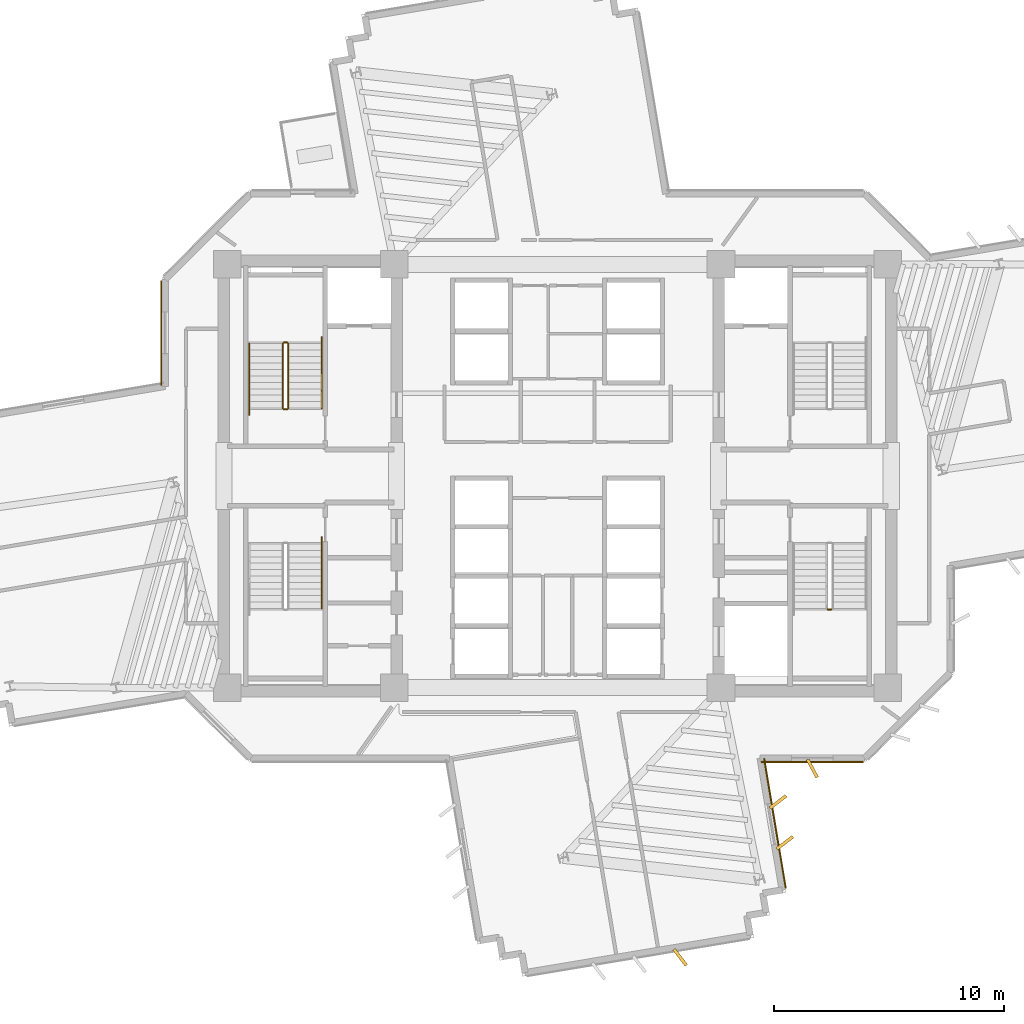
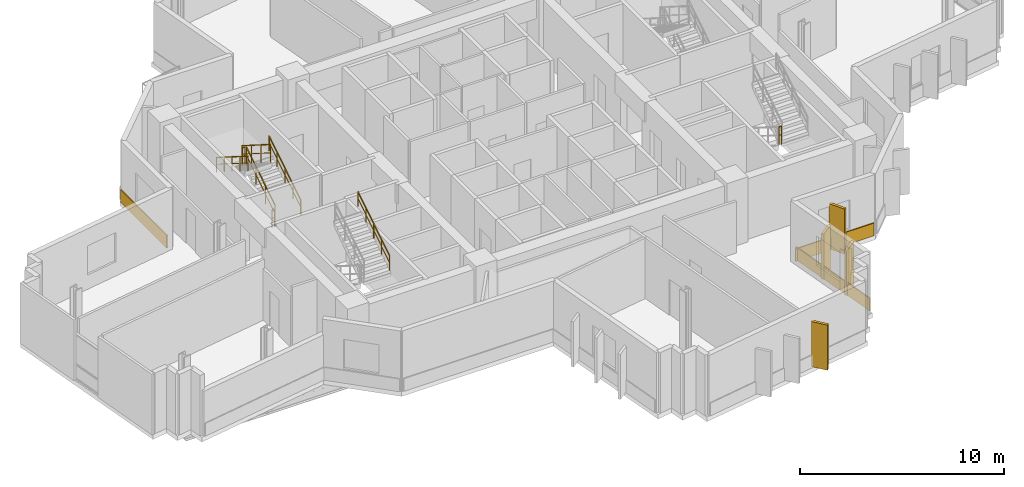
# One storey, part 13 of 15: 8 railings, 7 coverings.
"""IFC4 building model written with IfcOpenShell, lengths in metres."""

from ifc_helpers import new_model, si_unit, direction, frame, origin, origin_2d, place, context, subcontext, project, spatial, rectangle, extrude, source, transform, mapped, material, layer, layer_set, type_object, element, save


model = new_model("IFC4")

# Units and contexts
model_context = context("Model", 3, precision=1e-05, world=origin(), true_north=direction((0.0, 1.0)))
body_context = subcontext(model_context, "Body", "Model", "MODEL_VIEW")
ifc_project = project(units=[si_unit("LENGTHUNIT", "METRE"), si_unit("AREAUNIT", "SQUARE_METRE"), si_unit("VOLUMEUNIT", "CUBIC_METRE"), si_unit("PLANEANGLEUNIT", "RADIAN"), si_unit("MASSUNIT", "GRAM", prefix="KILO")], contexts=[model_context])

# Site, building, storey
site_placement = place(None, origin())
site = spatial("IfcSite", under=ifc_project, at=site_placement, CompositionType="ELEMENT")
building_placement = place(site_placement, origin())
building = spatial("IfcBuilding", under=site, at=building_placement, Name="Zahravan Cultural Tower", CompositionType="ELEMENT")
storey_placement = place(building_placement, frame((0.0, 0.0, 135.60009765625)))
storey = spatial("IfcBuildingStorey", under=building, at=storey_placement, Name="L30", CompositionType="ELEMENT", Elevation=135.60009765625)

# Railings
ifc_material_1 = material(Name="Steel ASTM A572 Grade 50", Category="steel")
railing_type_1 = type_object("IfcRailingType", Name="RL-STAIR-GRD1150", PredefinedType="BALUSTRADE", material=ifc_material_1)
railing_1_placement = place(storey_placement, frame((24.300048828125, 29.949951171875, 0.17724609375)))
element("IfcRailing", 1, at=railing_1_placement, inside=storey, type_object=railing_type_1, Name="L30 ST-W1 stair guard 1", PredefinedType="BALUSTRADE", context=body_context, shape_type="SweptSolid", body=[
    extrude(rectangle(XDim=0.05, YDim=0.05, at=origin_2d()), frame((0.0, 0.0, 1.0751953125), z_axis=(0.0, 0.844908973607, 0.534910110503), x_axis=(-1.0, 0.0, 0.0)), (0.0, 0.0, 1.0), 3.31396484375),
    extrude(rectangle(XDim=0.032, YDim=0.032, at=origin_2d()), frame((0.0, 0.0, 0.572021484375), z_axis=(0.0, 0.844908973607, 0.534910110503), x_axis=(-1.0, 0.0, 0.0)), (0.0, 0.0, 1.0), 3.31396484375),
    extrude(rectangle(XDim=0.04, YDim=0.04, at=origin_2d()), origin(), (0.0, 0.0, 1.0), 1.10009765625),
    extrude(rectangle(XDim=0.04, YDim=0.04, at=origin_2d()), frame((0.0, 0.933349609375, 0.5908203125)), (0.0, 0.0, 1.0), 1.10009765625),
    extrude(rectangle(XDim=0.04, YDim=0.04, at=origin_2d()), frame((0.0, 1.86669921875, 1.181884765625)), (0.0, 0.0, 1.0), 1.10009765625),
    extrude(rectangle(XDim=0.04, YDim=0.04, at=origin_2d()), frame((0.0, 2.800048828125, 1.772705078125)), (0.0, 0.0, 1.0), 1.10009765625),
])
railing_2_placement = place(storey_placement, frame((24.25, 32.800048828125, 1.949951171875)))
element("IfcRailing", 2, at=railing_2_placement, inside=storey, type_object=railing_type_1, Name="L30 ST-W1 stair guard 2", PredefinedType="BALUSTRADE", context=body_context, shape_type="SweptSolid", body=[
    extrude(rectangle(XDim=0.05, YDim=0.05, at=origin_2d()), frame((0.0, 0.0, 1.0751953125), z_axis=(-1.0, 0.0, 0.0), x_axis=(0.0, -1.0, 0.0)), (0.0, 0.0, 1.0), 0.14990234375),
    extrude(rectangle(XDim=0.032, YDim=0.032, at=origin_2d()), frame((0.0, 0.0, 0.572021484375), z_axis=(-1.0, 0.0, 0.0), x_axis=(0.0, -1.0, 0.0)), (0.0, 0.0, 1.0), 0.14990234375),
    extrude(rectangle(XDim=0.04, YDim=0.04, at=origin_2d()), origin(), (0.0, 0.0, 1.0), 1.10009765625),
    extrude(rectangle(XDim=0.04, YDim=0.04, at=origin_2d()), frame((-0.14990234375, 0.0, 0.0)), (0.0, 0.0, 1.0), 1.10009765625),
])
railing_3_placement = place(storey_placement, frame((24.050048828125, 32.75, 2.127197265625)))
element("IfcRailing", 3, at=railing_3_placement, inside=storey, type_object=railing_type_1, Name="L30 ST-W1 stair guard 3", PredefinedType="BALUSTRADE", context=body_context, shape_type="SweptSolid", body=[
    extrude(rectangle(XDim=0.05, YDim=0.05, at=origin_2d()), frame((0.0, 0.0, 1.0751953125), z_axis=(0.0, -0.844908973607, 0.534910110503), x_axis=(1.0, 0.0, 0.0)), (0.0, 0.0, 1.0), 3.31396484375),
    extrude(rectangle(XDim=0.032, YDim=0.032, at=origin_2d()), frame((0.0, 0.0, 0.572021484375), z_axis=(0.0, -0.844908973607, 0.534910110503), x_axis=(1.0, 0.0, 0.0)), (0.0, 0.0, 1.0), 3.31396484375),
    extrude(rectangle(XDim=0.04, YDim=0.04, at=origin_2d()), origin(), (0.0, 0.0, 1.0), 1.10009765625),
    extrude(rectangle(XDim=0.04, YDim=0.04, at=origin_2d()), frame((0.0, -0.933349609375, 0.5908203125)), (0.0, 0.0, 1.0), 1.10009765625),
    extrude(rectangle(XDim=0.04, YDim=0.04, at=origin_2d()), frame((0.0, -1.86669921875, 1.181884765625)), (0.0, 0.0, 1.0), 1.10009765625),
    extrude(rectangle(XDim=0.04, YDim=0.04, at=origin_2d()), frame((0.0, -2.800048828125, 1.772705078125)), (0.0, 0.0, 1.0), 1.10009765625),
])
railing_4_placement = place(storey_placement, frame((24.25, 29.89990234375, 0.0)))
element("IfcRailing", 4, at=railing_4_placement, inside=storey, type_object=railing_type_1, Name="L30 ST-W1 stair guard 4", PredefinedType="BALUSTRADE", context=body_context, shape_type="SweptSolid", body=[
    extrude(rectangle(XDim=0.05, YDim=0.05, at=origin_2d()), frame((0.0, 0.0, 1.0751953125), z_axis=(-1.0, 0.0, 0.0), x_axis=(0.0, -1.0, 0.0)), (0.0, 0.0, 1.0), 0.14990234375),
    extrude(rectangle(XDim=0.032, YDim=0.032, at=origin_2d()), frame((0.0, 0.0, 0.572021484375), z_axis=(-1.0, 0.0, 0.0), x_axis=(0.0, -1.0, 0.0)), (0.0, 0.0, 1.0), 0.14990234375),
    extrude(rectangle(XDim=0.04, YDim=0.04, at=origin_2d()), origin(), (0.0, 0.0, 1.0), 1.10009765625),
    extrude(rectangle(XDim=0.04, YDim=0.04, at=origin_2d()), frame((-0.14990234375, 0.0, 0.0)), (0.0, 0.0, 1.0), 1.10009765625),
])
railing_5_placement = place(storey_placement, frame((47.75, 21.199951171875, 1.949951171875)))
element("IfcRailing", 5, at=railing_5_placement, inside=storey, type_object=railing_type_1, Name="L30 ST-E2 stair guard 2", PredefinedType="BALUSTRADE", context=body_context, shape_type="SweptSolid", body=[
    extrude(rectangle(XDim=0.05, YDim=0.05, at=origin_2d()), frame((0.0, 0.0, 1.0751953125), z_axis=(1.0, 0.0, 0.0), x_axis=(0.0, 1.0, 0.0)), (0.0, 0.0, 1.0), 0.14990234375),
    extrude(rectangle(XDim=0.032, YDim=0.032, at=origin_2d()), frame((0.0, 0.0, 0.572021484375), z_axis=(1.0, 0.0, 0.0), x_axis=(0.0, 1.0, 0.0)), (0.0, 0.0, 1.0), 0.14990234375),
    extrude(rectangle(XDim=0.04, YDim=0.04, at=origin_2d()), origin(), (0.0, 0.0, 1.0), 1.10009765625),
    extrude(rectangle(XDim=0.04, YDim=0.04, at=origin_2d()), frame((0.14990234375, 0.0, 0.0)), (0.0, 0.0, 1.0), 1.10009765625),
])
railing_type_2 = type_object("IfcRailingType", Name="RL-STAIR-HR900", PredefinedType="HANDRAIL", material=ifc_material_1)
railing_6_placement = place(storey_placement, frame((25.75, 29.949951171875, 0.17724609375)))
element("IfcRailing", 6, at=railing_6_placement, inside=storey, type_object=railing_type_2, Name="L30 ST-W1 stair handrail 1", PredefinedType="HANDRAIL", context=body_context, shape_type="SweptSolid", body=[
    extrude(rectangle(XDim=0.05, YDim=0.05, at=origin_2d()), frame((0.0, 0.0, 0.875), z_axis=(0.0, 0.844913916606, 0.534902302785), x_axis=(-1.0, 0.0, 0.0)), (0.0, 0.0, 1.0), 3.6455078125),
    extrude(rectangle(XDim=0.032, YDim=0.032, at=origin_2d()), frame((0.0, 0.0, 0.468017578125), z_axis=(0.0, 0.844913916606, 0.534902302785), x_axis=(-1.0, 0.0, 0.0)), (0.0, 0.0, 1.0), 3.6455078125),
    extrude(rectangle(XDim=0.04, YDim=0.04, at=origin_2d()), origin(), (0.0, 0.0, 1.0), 0.89990234375),
    extrude(rectangle(XDim=0.04, YDim=0.04, at=origin_2d()), frame((0.0, 0.77001953125, 0.487548828125)), (0.0, 0.0, 1.0), 0.89990234375),
    extrude(rectangle(XDim=0.04, YDim=0.04, at=origin_2d()), frame((0.0, 1.5400390625, 0.97509765625)), (0.0, 0.0, 1.0), 0.89990234375),
    extrude(rectangle(XDim=0.04, YDim=0.04, at=origin_2d()), frame((0.0, 2.31005859375, 1.46240234375)), (0.0, 0.0, 1.0), 0.89990234375),
    extrude(rectangle(XDim=0.04, YDim=0.04, at=origin_2d()), frame((0.0, 3.080078125, 1.949951171875)), (0.0, 0.0, 1.0), 0.89990234375),
])
railing_7_placement = place(storey_placement, frame((22.60009765625, 32.75, 2.127197265625)))
element("IfcRailing", 7, at=railing_7_placement, inside=storey, type_object=railing_type_2, Name="L30 ST-W1 stair handrail 2", PredefinedType="HANDRAIL", context=body_context, shape_type="SweptSolid", body=[
    extrude(rectangle(XDim=0.05, YDim=0.05, at=origin_2d()), frame((0.0, 0.0, 0.875), z_axis=(0.0, -0.844913916606, 0.534902302785), x_axis=(1.0, 0.0, 0.0)), (0.0, 0.0, 1.0), 3.6455078125),
    extrude(rectangle(XDim=0.032, YDim=0.032, at=origin_2d()), frame((0.0, 0.0, 0.468017578125), z_axis=(0.0, -0.844913916606, 0.534902302785), x_axis=(1.0, 0.0, 0.0)), (0.0, 0.0, 1.0), 3.6455078125),
    extrude(rectangle(XDim=0.04, YDim=0.04, at=origin_2d()), origin(), (0.0, 0.0, 1.0), 0.89990234375),
    extrude(rectangle(XDim=0.04, YDim=0.04, at=origin_2d()), frame((0.0, -0.77001953125, 0.487548828125)), (0.0, 0.0, 1.0), 0.89990234375),
    extrude(rectangle(XDim=0.04, YDim=0.04, at=origin_2d()), frame((0.0, -1.5400390625, 0.97509765625)), (0.0, 0.0, 1.0), 0.89990234375),
    extrude(rectangle(XDim=0.04, YDim=0.04, at=origin_2d()), frame((0.0, -2.31005859375, 1.46240234375)), (0.0, 0.0, 1.0), 0.89990234375),
    extrude(rectangle(XDim=0.04, YDim=0.04, at=origin_2d()), frame((0.0, -3.080078125, 1.949951171875)), (0.0, 0.0, 1.0), 0.89990234375),
])
railing_8_placement = place(storey_placement, frame((25.75, 21.25, 2.127197265625)))
element("IfcRailing", 8, at=railing_8_placement, inside=storey, type_object=railing_type_2, Name="L30 ST-W2 stair handrail 2", PredefinedType="HANDRAIL", context=body_context, shape_type="SweptSolid", body=[
    extrude(rectangle(XDim=0.05, YDim=0.05, at=origin_2d()), frame((0.0, 0.0, 0.875), z_axis=(0.0, 0.844913916606, 0.534902302785), x_axis=(-1.0, 0.0, 0.0)), (0.0, 0.0, 1.0), 3.6455078125),
    extrude(rectangle(XDim=0.032, YDim=0.032, at=origin_2d()), frame((0.0, 0.0, 0.468017578125), z_axis=(0.0, 0.844913916606, 0.534902302785), x_axis=(-1.0, 0.0, 0.0)), (0.0, 0.0, 1.0), 3.6455078125),
    extrude(rectangle(XDim=0.04, YDim=0.04, at=origin_2d()), origin(), (0.0, 0.0, 1.0), 0.89990234375),
    extrude(rectangle(XDim=0.04, YDim=0.04, at=origin_2d()), frame((0.0, 0.77001953125, 0.487548828125)), (0.0, 0.0, 1.0), 0.89990234375),
    extrude(rectangle(XDim=0.04, YDim=0.04, at=origin_2d()), frame((0.0, 1.5400390625, 0.97509765625)), (0.0, 0.0, 1.0), 0.89990234375),
    extrude(rectangle(XDim=0.04, YDim=0.04, at=origin_2d()), frame((0.0, 2.31005859375, 1.46240234375)), (0.0, 0.0, 1.0), 0.89990234375),
    extrude(rectangle(XDim=0.04, YDim=0.04, at=origin_2d()), frame((0.0, 3.080078125, 1.949951171875)), (0.0, 0.0, 1.0), 0.89990234375),
])

# Coverings
ifc_material_2 = material(Name="Terracotta ceramic cladding", Category="masonry")
ifc_layer = layer(ifc_material_2, 0.06005859375)
ifc_layer_set = layer_set([ifc_layer], Name="Terracotta ceramic cladding")
covering_type = type_object("IfcCoveringType", Name="COV-CLAD-TC60", PredefinedType="CLADDING", material=ifc_layer_set)
shared_shape_1 = source(origin(), body_context, "Body", "SweptSolid", [
    extrude(rectangle(XDim=0.8798828125, YDim=0.139892578125, at=origin_2d()), origin(), (0.0, 0.0, 1.0), 2.699951171875),
])
for number, where, z_axis, x_axis, name in (
    (9, (47.072998046875, 14.2900390625, 0.0498046875), (0.0, 0.0, 1.0), (0.469471562786, -0.882947592859, 0.0), "L30 Herringbone Terracotta Fin 10"),
    (10, (45.579345703125, 12.834228515625, 0.0498046875), (0.0, 0.0, 1.0), (0.793342715279, 0.608775275544, 0.0), "L30 Herringbone Terracotta Fin 11"),
    (11, (45.87646484375, 11.05908203125, 0.0498046875), (0.0, 0.0, 1.0), (0.793342715279, 0.608775275544, 0.0), "L30 Herringbone Terracotta Fin 12"),
    (12, (41.325439453125, 6.08203125, 0.0498046875), (0.0, 0.0, 1.0), (0.608761429009, -0.793353340291, 0.0), "L30 Herringbone Terracotta Fin 13"),
):
    element("IfcCovering", number, at=place(storey_placement, frame(where, z_axis=z_axis, x_axis=x_axis)), inside=storey, type_object=covering_type, Name=name, PredefinedType="CLADDING", context=body_context, shape_type="MappedRepresentation", body=[
        mapped(shared_shape_1, transform((0.0, 0.0, 0.0), x_axis=(1.0, 0.0, 0.0), y_axis=(0.0, 1.0, 0.0), z_axis=(0.0, 0.0, 1.0), scale=1.0)),
    ])
shared_shape_2 = source(origin(), body_context, "Body", "SweptSolid", [
    extrude(rectangle(XDim=4.544189453125, YDim=0.06005859375, at=origin_2d()), origin(), (0.0, 0.0, 1.0), 0.760009765625),
])
covering_1_placement = place(storey_placement, frame((18.77490234375, 33.219970703125, 0.02001953125), z_axis=(0.0, 0.0, 1.0), x_axis=(0.0, 1.0, 0.0)))
element("IfcCovering", 13, at=covering_1_placement, inside=storey, type_object=covering_type, Name="L30 Terracotta Spandrel Cladding 37", PredefinedType="CLADDING", context=body_context, shape_type="MappedRepresentation", body=[
    mapped(shared_shape_2, transform((0.0, 0.0, 0.0), x_axis=(1.0, 0.0, 0.0), y_axis=(0.0, 1.0, 0.0), z_axis=(0.0, 0.0, 1.0), scale=1.0)),
])
shared_shape_3 = source(origin(), body_context, "Body", "SweptSolid", [
    extrude(rectangle(XDim=4.437744140625, YDim=0.06005859375, at=origin_2d()), origin(), (0.0, 0.0, 1.0), 0.760009765625),
])
covering_2_placement = place(storey_placement, frame((47.072998046875, 14.574951171875, 0.02001953125), z_axis=(0.0, 0.0, 1.0), x_axis=(-1.0, 0.0, 0.0)))
element("IfcCovering", 14, at=covering_2_placement, inside=storey, type_object=covering_type, Name="L30 Terracotta Spandrel Cladding 13", PredefinedType="CLADDING", context=body_context, shape_type="MappedRepresentation", body=[
    mapped(shared_shape_3, transform((0.0, 0.0, 0.0), x_axis=(1.0, 0.0, 0.0), y_axis=(0.0, 1.0, 0.0), z_axis=(0.0, 0.0, 1.0), scale=1.0)),
])
shared_shape_4 = source(origin(), body_context, "Body", "SweptSolid", [
    extrude(rectangle(XDim=5.715087890625, YDim=0.06005859375, at=origin_2d()), origin(), (0.0, 0.0, 1.0), 0.760009765625),
])
covering_3_placement = place(storey_placement, frame((45.44677734375, 11.899658203125, 0.02001953125), z_axis=(0.0, 0.0, 1.0), x_axis=(0.165064819767, -0.986282720763, 0.0)))
element("IfcCovering", 15, at=covering_3_placement, inside=storey, type_object=covering_type, Name="L30 Terracotta Spandrel Cladding 14", PredefinedType="CLADDING", context=body_context, shape_type="MappedRepresentation", body=[
    mapped(shared_shape_4, transform((0.0, 0.0, 0.0), x_axis=(1.0, 0.0, 0.0), y_axis=(0.0, 1.0, 0.0), z_axis=(0.0, 0.0, 1.0), scale=1.0)),
])

save(model, "model.ifc")
